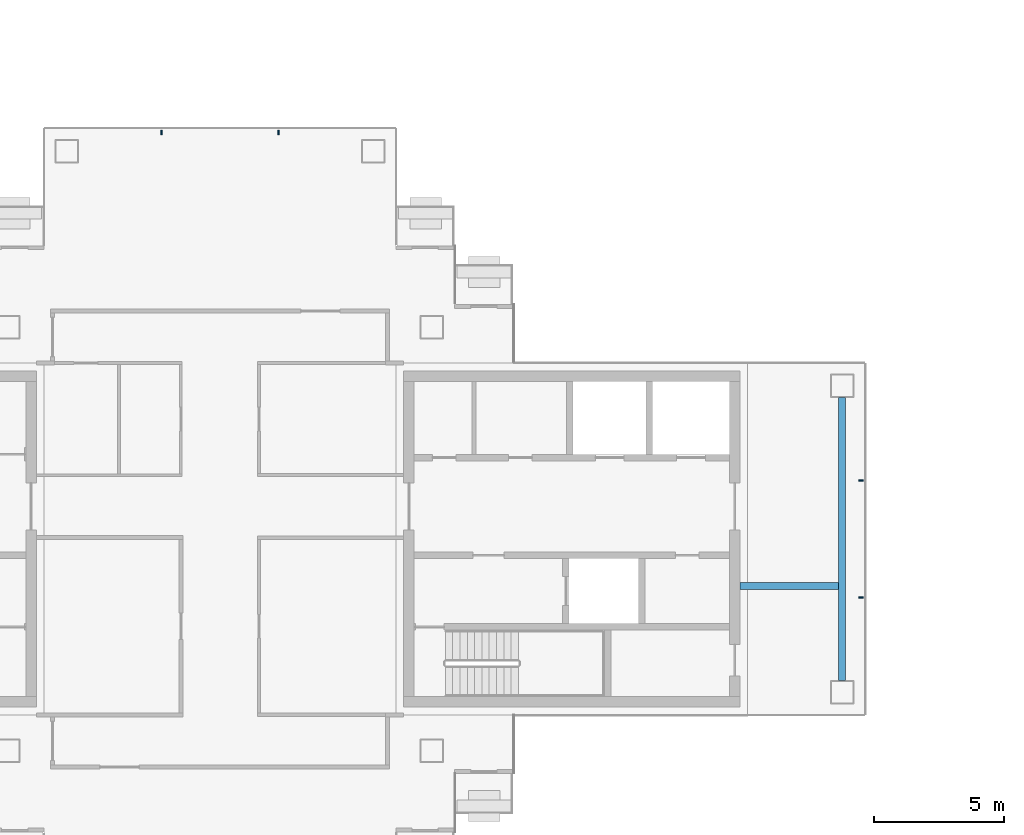
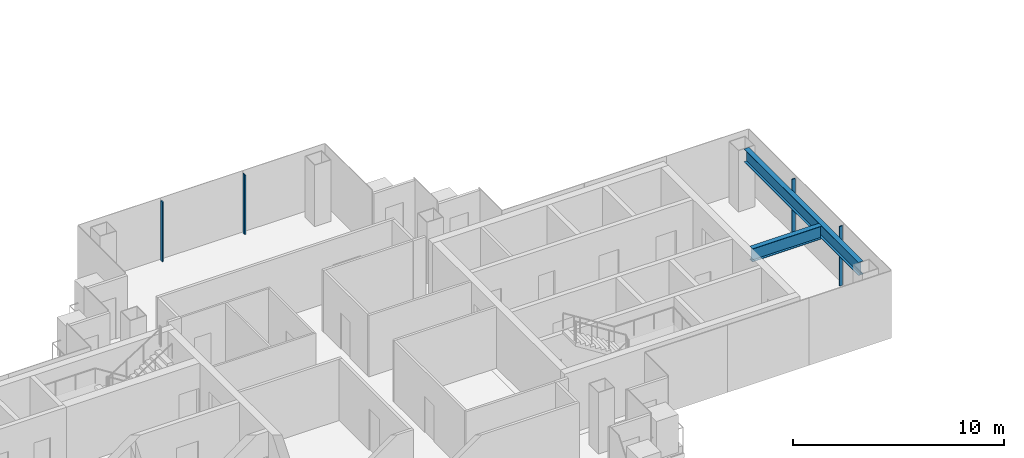
# One storey, part 4 of 17: 4 members, 2 beams, 2 elements without a shape of their own.
"""IFC4 building model written with IfcOpenShell, lengths in metres."""

from ifc_helpers import new_model, si_unit, direction, frame, origin, origin_2d, place, context, subcontext, project, spatial, rectangle, i_section, extrude, material, layer, layer_set, material_profile, profile_set, type_object, element, aggregate, save


model = new_model("IFC4")

# Units and contexts
model_context = context("Model", 3, precision=1e-05, world=origin(), true_north=direction((0.0, 1.0)))
body_context = subcontext(model_context, "Body", "Model", "MODEL_VIEW")
ifc_project = project(units=[si_unit("LENGTHUNIT", "METRE"), si_unit("AREAUNIT", "SQUARE_METRE"), si_unit("VOLUMEUNIT", "CUBIC_METRE"), si_unit("PLANEANGLEUNIT", "RADIAN"), si_unit("MASSUNIT", "GRAM", prefix="KILO")], contexts=[model_context])

# Site, building, storey
site_placement = place(None, origin())
site = spatial("IfcSite", under=ifc_project, at=site_placement, CompositionType="ELEMENT")
building_placement = place(site_placement, origin())
building = spatial("IfcBuilding", under=site, at=building_placement, Name="Shamsa Quay Exchange Towers", CompositionType="ELEMENT")
storey_placement = place(building_placement, frame((0.0, 0.0, 253.800048828125)))
storey = spatial("IfcBuildingStorey", under=building, at=storey_placement, Name="L61", CompositionType="ELEMENT", Elevation=253.800048828125)

# Curtain wall, members
ifc_material_1 = material(Name="Aluminium EN AW-6063 T6, black anodised", Category="aluminium")
ifc_layer = layer(ifc_material_1, 0.280029296875)
ifc_layer_set = layer_set([ifc_layer], Name="CW-1 UNITISED VISION GLASS")
curtain_wall_type = type_object("IfcCurtainWallType", Name="CW-1 UNITISED VISION GLASS", PredefinedType="NOTDEFINED", material=ifc_layer_set)
curtain_wall_1_placement = place(storey_placement, origin())
curtain_wall_1 = element("IfcCurtainWall", 1, at=curtain_wall_1_placement, inside=storey, type_object=curtain_wall_type, Name="CW1 T1-END-U+ L61", PredefinedType="NOTDEFINED")
ifc_material_profile_1 = material_profile(ifc_material_1, rectangle(XDim=0.179931640625, YDim=0.06005859375, at=origin_2d()), Name="MU60x180")
ifc_profile_set_1 = profile_set([ifc_material_profile_1], Name="Aluminium EN AW-6063 T6, black anodised")
member_type = type_object("IfcMemberType", Name="CW1 MULLION 60x180", PredefinedType="MULLION", material=ifc_profile_set_1)
member_1_placement = place(storey_placement, frame((-9.14990234375, -2.25, 0.0), z_axis=(0.0, 0.0, 1.0), x_axis=(-1.0, 0.0, 0.0)))
member_1 = element("IfcMember", 2, at=member_1_placement, type_object=member_type, Name="CW1 mullion", PredefinedType="MULLION", context=body_context, shape_type="SweptSolid", body=[
    extrude(rectangle(XDim=0.179931640625, YDim=0.06005859375, at=origin_2d()), origin(), (0.0, 0.0, 1.0), 3.449951171875),
])
member_2_placement = place(storey_placement, frame((-9.14990234375, 2.25, 0.0), z_axis=(0.0, 0.0, 1.0), x_axis=(-1.0, 0.0, 0.0)))
member_2 = element("IfcMember", 3, at=member_2_placement, type_object=member_type, Name="CW1 mullion", PredefinedType="MULLION", context=body_context, shape_type="SweptSolid", body=[
    extrude(rectangle(XDim=0.179931640625, YDim=0.06005859375, at=origin_2d()), origin(), (0.0, 0.0, 1.0), 3.449951171875),
])
aggregate(curtain_wall_1, [member_1, member_2])

curtain_wall_2_placement = place(storey_placement, origin())
curtain_wall_2 = element("IfcCurtainWall", 4, at=curtain_wall_2_placement, inside=storey, type_object=curtain_wall_type, Name="CW1 T1-END-V+ L61", PredefinedType="NOTDEFINED")
member_3_placement = place(storey_placement, frame((-31.5, 15.60009765625, 0.0), z_axis=(0.0, 0.0, 1.0), x_axis=(0.0, -1.0, 0.0)))
member_3 = element("IfcMember", 5, at=member_3_placement, type_object=member_type, Name="CW1 mullion", PredefinedType="MULLION", context=body_context, shape_type="SweptSolid", body=[
    extrude(rectangle(XDim=0.179931640625, YDim=0.06005859375, at=origin_2d()), origin(), (0.0, 0.0, 1.0), 3.449951171875),
])
member_4_placement = place(storey_placement, frame((-36.0, 15.60009765625, 0.0), z_axis=(0.0, 0.0, 1.0), x_axis=(0.0, -1.0, 0.0)))
member_4 = element("IfcMember", 6, at=member_4_placement, type_object=member_type, Name="CW1 mullion", PredefinedType="MULLION", context=body_context, shape_type="SweptSolid", body=[
    extrude(rectangle(XDim=0.179931640625, YDim=0.06005859375, at=origin_2d()), origin(), (0.0, 0.0, 1.0), 3.449951171875),
])
aggregate(curtain_wall_2, [member_3, member_4])

# Beams
ifc_material_2 = material(Name="Steel S355", Category="steel")
ifc_material_profile_2 = material_profile(ifc_material_2, i_section(OverallWidth=0.26611328125, OverallDepth=0.7578125, WebThickness=0.013916015625, FlangeThickness=0.019287109375, at=origin_2d()), Name="W30x108")
ifc_profile_set_2 = profile_set([ifc_material_profile_2], Name="Steel S355")
beam_type = type_object("IfcBeamType", Name="End-zone beam W30x108", PredefinedType="BEAM", material=ifc_profile_set_2)
beam_1_placement = place(storey_placement, frame((-9.875, -5.425048828125, 3.171142578125), z_axis=(0.0, 1.0, 0.0), x_axis=(-1.0, 0.0, 0.0)))
element("IfcBeam", 7, at=beam_1_placement, inside=storey, type_object=beam_type, Name="End beam T1 U+ end zone L61", PredefinedType="BEAM", context=body_context, shape_type="SweptSolid", body=[
    extrude(i_section(OverallWidth=0.26611328125, OverallDepth=0.7578125, WebThickness=0.013916015625, FlangeThickness=0.019287109375, at=origin_2d()), origin(), (0.0, 0.0, 1.0), 10.85009765625),
])
beam_2_placement = place(storey_placement, frame((-13.800048828125, -1.800048828125, 3.171142578125), z_axis=(1.0, 0.0, 0.0), x_axis=(0.0, 1.0, 0.0)))
element("IfcBeam", 8, at=beam_2_placement, inside=storey, type_object=beam_type, Name="Spine beam T1 U+ end zone L61", PredefinedType="BEAM", context=body_context, shape_type="SweptSolid", body=[
    extrude(i_section(OverallWidth=0.26611328125, OverallDepth=0.7578125, WebThickness=0.013916015625, FlangeThickness=0.019287109375, at=origin_2d()), origin(), (0.0, 0.0, 1.0), 3.7919921875),
])

save(model, "model.ifc")
